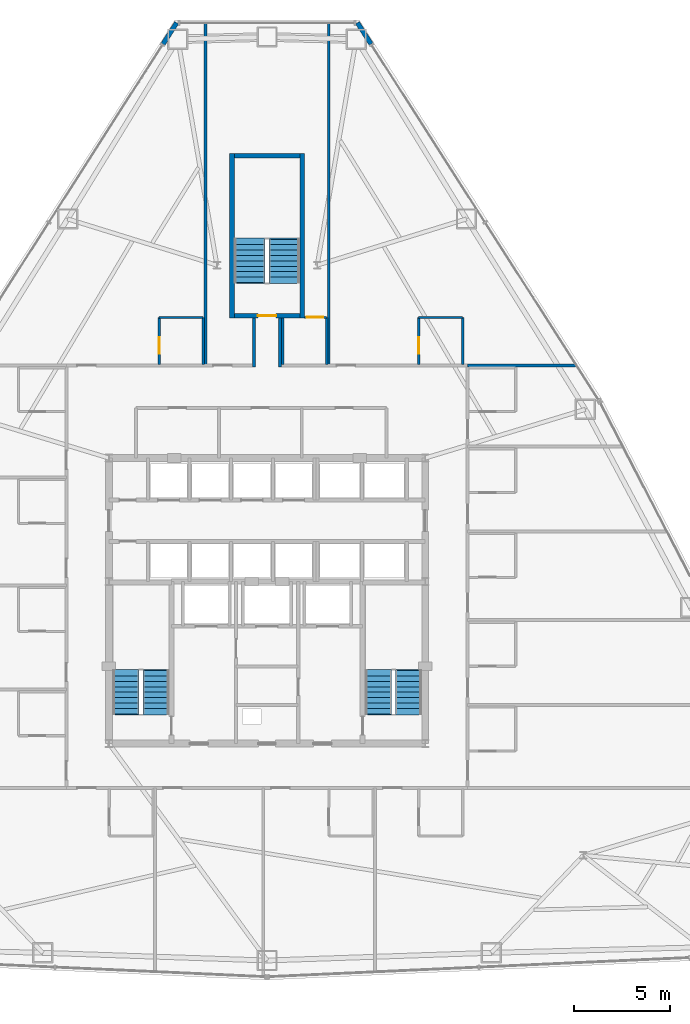
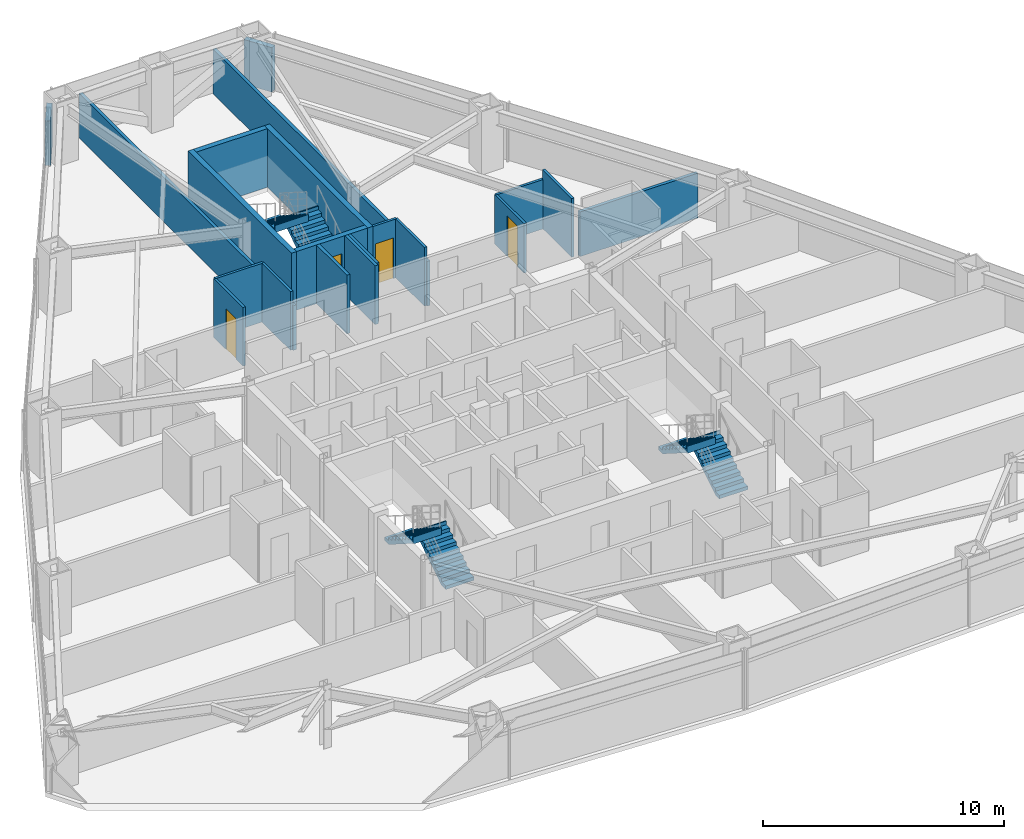
# One storey, part 12 of 13: 20 walls, 6 stair flights, 4 doors, 4 openings, 3 elements without a shape of their own.
"""IFC4 building model written with IfcOpenShell, lengths in metres."""

from ifc_helpers import new_model, si_unit, direction, frame, frame_2d, origin, place, context, subcontext, project, spatial, polyline, rectangle, outline, extrude, material, layer, layer_set, type_object, element, fill, aggregate, save


model = new_model("IFC4")

# Units and contexts
model_context = context("Model", 3, precision=1e-05, world=origin(), true_north=direction((0.0, 1.0)))
body_context = subcontext(model_context, "Body", "Model", "MODEL_VIEW")
ifc_project = project(units=[si_unit("LENGTHUNIT", "METRE"), si_unit("AREAUNIT", "SQUARE_METRE"), si_unit("VOLUMEUNIT", "CUBIC_METRE"), si_unit("PLANEANGLEUNIT", "RADIAN"), si_unit("MASSUNIT", "GRAM", prefix="KILO")], contexts=[model_context])

# Site, building, storey
site_placement = place(None, origin())
site = spatial("IfcSite", under=ifc_project, at=site_placement, CompositionType="ELEMENT")
building_placement = place(site_placement, origin())
building = spatial("IfcBuilding", under=site, at=building_placement, Name="Varakhsha Concourse Tower", CompositionType="ELEMENT")
storey_placement = place(building_placement, frame((0.0, 0.0, 83.0)))
storey = spatial("IfcBuildingStorey", under=building, at=storey_placement, Name="L23", CompositionType="ELEMENT", Elevation=83.0)

# Walls
ifc_material_1 = material(Name="Concrete fc 45 MPa", Category="concrete")
ifc_layer_1 = layer(ifc_material_1, 0.239990234375, Name="WL-EXT-CRN-240")
ifc_layer_set_1 = layer_set([ifc_layer_1], Name="Concrete fc 45 MPa")
wall_type_1 = type_object("IfcWallType", Name="WL-EXT-CRN-240", PredefinedType="SHEAR", material=ifc_layer_set_1)
for number, where, z_axis, x_axis, name in (
    (1, (35.313720703125, 53.76904296875, 0.0), (0.0, 0.0, 1.0), (-0.538937912301, -0.842345491283, 0.0), "L23 Wind-Corner Shoulder Wall F2"),
    (2, (45.395751953125, 52.66015625, 0.0), (0.0, 0.0, 1.0), (-0.538937912301, 0.842345491283, 0.0), "L23 Wind-Corner Shoulder Wall F9"),
):
    element("IfcWall", number, at=place(storey_placement, frame(where, z_axis=z_axis, x_axis=x_axis)), inside=storey, type_object=wall_type_1, Name=name, PredefinedType="SHEAR", context=body_context, shape_type="SweptSolid", body=[
        extrude(rectangle(XDim=1.31640625, YDim=0.239990234375, at=frame_2d((0.658203125, 0.0))), origin(), (0.0, 0.0, 1.0), 2.2529296875),
    ])

# Wall, opening, door
ifc_material_2 = material(Name="Acoustic Gypsum Board Partition Assembly", Category="gypsum")
ifc_layer_2 = layer(ifc_material_2, 0.1201171875, Name="WL-PART-120")
ifc_layer_set_2 = layer_set([ifc_layer_2], Name="Acoustic Gypsum Board Partition Assembly")
wall_type_2 = type_object("IfcWallType", Name="WL-PART-120", PredefinedType="PARTITIONING", material=ifc_layer_set_2)
wall_1_placement = place(storey_placement, frame((34.409912109375, 36.06005859375, 0.0), z_axis=(0.0, 0.0, 1.0), x_axis=(0.0, 1.0, 0.0)))
wall_1 = element("IfcWall", 3, at=wall_1_placement, inside=storey, type_object=wall_type_2, Name="L23 Wall ENSW-W-L23-H14", PredefinedType="PARTITIONING", context=body_context, shape_type="SweptSolid", body=[
    extrude(rectangle(XDim=2.429931640625, YDim=0.1201171875, at=frame_2d((1.21484375, 0.0))), origin(), (0.0, 0.0, 1.0), 2.969970703125),
])
opening_1_placement = place(wall_1_placement, frame((0.550048828125, 0.0, 0.0)))
opening_1 = element("IfcOpeningElement", 4, at=opening_1_placement, cuts=wall_1, Name="Opening DI-01", PredefinedType="OPENING", context=body_context, shape_type="SweptSolid", body=[
    extrude(rectangle(XDim=0.85009765625, YDim=2.050048828125, at=frame_2d((0.425048828125, 1.02490234375))), frame((0.0, 0.070068359375, 0.0), z_axis=(0.0, -1.0, 0.0), x_axis=(1.0, 0.0, 0.0)), (0.0, 0.0, 1.0), 0.14013671875),
])
ifc_material_3 = material(Name="Architectural Walnut Acoustic Timber Door", Category="wood")
door_type_1 = type_object("IfcDoorType", Name="DR-INT-850", OperationType="NOTDEFINED", PredefinedType="DOOR", material=ifc_material_3)
door_1_placement = place(opening_1_placement, origin())
door_1 = element("IfcDoor", 5, at=door_1_placement, inside=storey, type_object=door_type_1, Name="L23 En-suite Bathroom Door L23-H14", OperationType="SINGLE_SWING_RIGHT", OverallHeight=2.050048828125, OverallWidth=0.85009765625, PredefinedType="DOOR", context=body_context, shape_type="SweptSolid", body=[
    extrude(rectangle(XDim=0.85009765625, YDim=2.050048828125, at=frame_2d((0.425048828125, 1.02490234375))), frame((0.0, 0.02490234375, 0.0), z_axis=(0.0, -1.0, 0.0), x_axis=(1.0, 0.0, 0.0)), (0.0, 0.0, 1.0), 0.050048828125),
])
fill(opening_1, door_1)

# Walls
wall_2_placement = place(storey_placement, frame((36.68994140625, 36.06005859375, 0.0), z_axis=(0.0, 0.0, 1.0), x_axis=(0.0, 1.0, 0.0)))
element("IfcWall", 6, at=wall_2_placement, inside=storey, type_object=wall_type_2, Name="L23 Wall ENSW-E-L23-H14", PredefinedType="PARTITIONING", context=body_context, shape_type="SweptSolid", body=[
    extrude(rectangle(XDim=2.429931640625, YDim=0.1201171875, at=frame_2d((1.21484375, 0.0))), origin(), (0.0, 0.0, 1.0), 2.969970703125),
])
wall_3_placement = place(storey_placement, frame((34.409912109375, 38.489990234375, 0.0), z_axis=(0.0, 0.0, 1.0), x_axis=(1.0, 0.0, 0.0)))
element("IfcWall", 7, at=wall_3_placement, inside=storey, type_object=wall_type_2, Name="L23 Wall ENSW-N-L23-H14", PredefinedType="PARTITIONING", context=body_context, shape_type="SweptSolid", body=[
    extrude(rectangle(XDim=2.280029296875, YDim=0.1201171875, at=frame_2d((1.14013671875, 0.0))), origin(), (0.0, 0.0, 1.0), 2.969970703125),
])
wall_4_placement = place(storey_placement, frame((40.81005859375, 36.06005859375, 0.0), z_axis=(0.0, 0.0, 1.0), x_axis=(0.0, 1.0, 0.0)))
element("IfcWall", 8, at=wall_4_placement, inside=storey, type_object=wall_type_2, Name="L23 Wall ENSW-W-L23-H15", PredefinedType="PARTITIONING", context=body_context, shape_type="SweptSolid", body=[
    extrude(rectangle(XDim=2.389892578125, YDim=0.1201171875, at=frame_2d((1.19482421875, 0.0))), origin(), (0.0, 0.0, 1.0), 2.969970703125),
])
wall_5_placement = place(storey_placement, frame((43.090087890625, 36.06005859375, 0.0), z_axis=(0.0, 0.0, 1.0), x_axis=(0.0, 1.0, 0.0)))
element("IfcWall", 9, at=wall_5_placement, inside=storey, type_object=wall_type_2, Name="L23 Wall ENSW-E-L23-H15", PredefinedType="PARTITIONING", context=body_context, shape_type="SweptSolid", body=[
    extrude(rectangle(XDim=2.429931640625, YDim=0.1201171875, at=frame_2d((1.21484375, 0.0))), origin(), (0.0, 0.0, 1.0), 2.969970703125),
])

# Wall, opening, door
wall_6_placement = place(storey_placement, frame((41.949951171875, 38.489990234375, 0.0), z_axis=(0.0, 0.0, 1.0), x_axis=(1.0, 0.0, 0.0)))
wall_6 = element("IfcWall", 10, at=wall_6_placement, inside=storey, type_object=wall_type_2, Name="L23 Wall ENSW-N-L23-H15", PredefinedType="PARTITIONING", context=body_context, shape_type="SweptSolid", body=[
    extrude(rectangle(XDim=1.14013671875, YDim=0.1201171875, at=frame_2d((0.570068359375, 0.0))), origin(), (0.0, 0.0, 1.0), 2.969970703125),
])
opening_2_placement = place(wall_6_placement, frame((0.1201171875, 0.0, 0.0)))
opening_2 = element("IfcOpeningElement", 11, at=opening_2_placement, cuts=wall_6, Name="Opening DI-01", PredefinedType="OPENING", context=body_context, shape_type="SweptSolid", body=[
    extrude(rectangle(XDim=0.85009765625, YDim=2.050048828125, at=frame_2d((0.425048828125, 1.02490234375))), frame((0.0, 0.070068359375, 0.0), z_axis=(0.0, -1.0, 0.0), x_axis=(1.0, 0.0, 0.0)), (0.0, 0.0, 1.0), 0.14013671875),
])
door_2_placement = place(opening_2_placement, origin())
door_2 = element("IfcDoor", 12, at=door_2_placement, inside=storey, type_object=door_type_1, Name="L23 En-suite Bathroom Door L23-H15", OperationType="SINGLE_SWING_RIGHT", OverallHeight=2.050048828125, OverallWidth=0.85009765625, PredefinedType="DOOR", context=body_context, shape_type="SweptSolid", body=[
    extrude(rectangle(XDim=0.85009765625, YDim=2.050048828125, at=frame_2d((0.425048828125, 1.02490234375))), frame((0.0, 0.02490234375, 0.0), z_axis=(0.0, -1.0, 0.0), x_axis=(1.0, 0.0, 0.0)), (0.0, 0.0, 1.0), 0.050048828125),
])
fill(opening_2, door_2)

wall_7_placement = place(storey_placement, frame((47.860107421875, 36.06005859375, 0.0), z_axis=(0.0, 0.0, 1.0), x_axis=(0.0, 1.0, 0.0)))
wall_7 = element("IfcWall", 13, at=wall_7_placement, inside=storey, type_object=wall_type_2, Name="L23 Wall ENSW-W-L23-H16", PredefinedType="PARTITIONING", context=body_context, shape_type="SweptSolid", body=[
    extrude(rectangle(XDim=2.429931640625, YDim=0.1201171875, at=frame_2d((1.21484375, 0.0))), origin(), (0.0, 0.0, 1.0), 2.5029296875),
])
opening_3_placement = place(wall_7_placement, frame((0.550048828125, 0.0, 0.0)))
opening_3 = element("IfcOpeningElement", 14, at=opening_3_placement, cuts=wall_7, Name="Opening DI-01", PredefinedType="OPENING", context=body_context, shape_type="SweptSolid", body=[
    extrude(rectangle(XDim=0.85009765625, YDim=2.050048828125, at=frame_2d((0.425048828125, 1.02490234375))), frame((0.0, 0.070068359375, 0.0), z_axis=(0.0, -1.0, 0.0), x_axis=(1.0, 0.0, 0.0)), (0.0, 0.0, 1.0), 0.14013671875),
])
door_3_placement = place(opening_3_placement, origin())
door_3 = element("IfcDoor", 15, at=door_3_placement, inside=storey, type_object=door_type_1, Name="L23 En-suite Bathroom Door L23-H16", OperationType="SINGLE_SWING_RIGHT", OverallHeight=2.050048828125, OverallWidth=0.85009765625, PredefinedType="DOOR", context=body_context, shape_type="SweptSolid", body=[
    extrude(rectangle(XDim=0.85009765625, YDim=2.050048828125, at=frame_2d((0.425048828125, 1.02490234375))), frame((0.0, 0.02490234375, 0.0), z_axis=(0.0, -1.0, 0.0), x_axis=(1.0, 0.0, 0.0)), (0.0, 0.0, 1.0), 0.050048828125),
])
fill(opening_3, door_3)

# Walls
wall_8_placement = place(storey_placement, frame((50.139892578125, 36.06005859375, 0.0), z_axis=(0.0, 0.0, 1.0), x_axis=(0.0, 1.0, 0.0)))
element("IfcWall", 16, at=wall_8_placement, inside=storey, type_object=wall_type_2, Name="L23 Wall ENSW-E-L23-H16", PredefinedType="PARTITIONING", context=body_context, shape_type="SweptSolid", body=[
    extrude(rectangle(XDim=2.429931640625, YDim=0.1201171875, at=frame_2d((1.21484375, 0.0))), origin(), (0.0, 0.0, 1.0), 2.969970703125),
])
wall_9_placement = place(storey_placement, frame((47.860107421875, 38.489990234375, 0.0), z_axis=(0.0, 0.0, 1.0), x_axis=(1.0, 0.0, 0.0)))
element("IfcWall", 17, at=wall_9_placement, inside=storey, type_object=wall_type_2, Name="L23 Wall ENSW-N-L23-H16", PredefinedType="PARTITIONING", context=body_context, shape_type="SweptSolid", body=[
    extrude(rectangle(XDim=2.27978515625, YDim=0.1201171875, at=frame_2d((1.139892578125, 0.0))), origin(), (0.0, 0.0, 1.0), 2.5029296875),
])
ifc_material_4 = material(Name="Fire-Rated Type X Gypsum Partition Assembly", Category="gypsum")
ifc_layer_3 = layer(ifc_material_4, 0.14990234375, Name="WL-PART-150")
ifc_layer_set_3 = layer_set([ifc_layer_3], Name="Fire-Rated Type X Gypsum Partition Assembly")
wall_type_3 = type_object("IfcWallType", Name="WL-PART-150", PredefinedType="PARTITIONING", material=ifc_layer_set_3)
wall_10_placement = place(storey_placement, frame((50.39990234375, 36.0, 0.0), z_axis=(0.0, 0.0, 1.0), x_axis=(1.0, 0.0, 0.0)))
element("IfcWall", 18, at=wall_10_placement, inside=storey, type_object=wall_type_3, Name="L23 Wall HDIV-EBN-L23", PredefinedType="PARTITIONING", context=body_context, shape_type="SweptSolid", body=[
    extrude(rectangle(XDim=5.64501953125, YDim=0.14990234375, at=frame_2d((2.822509765625, 0.0))), origin(), (0.0, 0.0, 1.0), 2.258056640625),
])
for number, where, z_axis, x_axis, name in (
    (19, (36.800048828125, 36.0, 0.0), (0.0, 0.0, 1.0), (0.0, 1.0, 0.0), "L23 Wall HDIV-N1-L23"),
    (20, (43.199951171875, 36.0, 0.0), (0.0, 0.0, 1.0), (0.0, 1.0, 0.0), "L23 Wall HDIV-N2-L23"),
):
    element("IfcWall", number, at=place(storey_placement, frame(where, z_axis=z_axis, x_axis=x_axis)), inside=storey, type_object=wall_type_3, Name=name, PredefinedType="PARTITIONING", context=body_context, shape_type="SweptSolid", body=[
        extrude(rectangle(XDim=17.745849609375, YDim=0.14990234375, at=frame_2d((8.873046875, 0.0))), origin(), (0.0, 0.0, 1.0), 2.258056640625),
    ])
for number, where, z_axis, x_axis, name in (
    (21, (39.324951171875, 35.925048828125, 0.0), (0.0, 0.0, 1.0), (0.0, 1.0, 0.0), "L23 Wall STUB-W-L23"),
    (22, (40.675048828125, 35.925048828125, 0.0), (0.0, 0.0, 1.0), (0.0, 1.0, 0.0), "L23 Wall STUB-E-L23"),
):
    element("IfcWall", number, at=place(storey_placement, frame(where, z_axis=z_axis, x_axis=x_axis)), inside=storey, type_object=wall_type_3, Name=name, PredefinedType="PARTITIONING", context=body_context, shape_type="SweptSolid", body=[
        extrude(rectangle(XDim=2.52490234375, YDim=0.14990234375, at=frame_2d((1.262451171875, 0.0))), origin(), (0.0, 0.0, 1.0), 2.969970703125),
    ])
ifc_layer_4 = layer(ifc_material_1, 0.25, Name="WL-STAIR-250")
ifc_layer_set_4 = layer_set([ifc_layer_4], Name="Concrete fc 45 MPa")
wall_type_4 = type_object("IfcWallType", Name="WL-STAIR-250", PredefinedType="SHEAR", material=ifc_layer_set_4)
for number, where, z_axis, x_axis, name in (
    (23, (38.175048828125, 38.449951171875, 0.0), (0.0, 0.0, 1.0), (0.0, 1.0, 0.0), "L23 Wall SWALL-ST5-W-L23"),
    (24, (41.824951171875, 38.449951171875, 0.0), (0.0, 0.0, 1.0), (0.0, 1.0, 0.0), "L23 Wall SWALL-ST5-E-L23"),
):
    element("IfcWall", number, at=place(storey_placement, frame(where, z_axis=z_axis, x_axis=x_axis)), inside=storey, type_object=wall_type_4, Name=name, PredefinedType="SHEAR", context=body_context, shape_type="SweptSolid", body=[
        extrude(rectangle(XDim=8.550048828125, YDim=0.25, at=frame_2d((4.27490234375, 0.0))), origin(), (0.0, 0.0, 1.0), 2.969970703125),
    ])

# Wall, opening, door
wall_11_placement = place(storey_placement, frame((38.300048828125, 38.574951171875, 0.0), z_axis=(0.0, 0.0, 1.0), x_axis=(1.0, 0.0, 0.0)))
wall_11 = element("IfcWall", 25, at=wall_11_placement, inside=storey, type_object=wall_type_4, Name="L23 Wall SWALL-ST5-S-L23", PredefinedType="SHEAR", context=body_context, shape_type="SweptSolid", body=[
    extrude(rectangle(XDim=3.39990234375, YDim=0.25, at=frame_2d((1.699951171875, 0.0))), origin(), (0.0, 0.0, 1.0), 2.969970703125),
])
opening_4_placement = place(wall_11_placement, frame((1.22509765625, 0.0, 0.0)))
opening_4 = element("IfcOpeningElement", 26, at=opening_4_placement, cuts=wall_11, Name="Opening DF-03", PredefinedType="OPENING", context=body_context, shape_type="SweptSolid", body=[
    extrude(rectangle(XDim=0.949951171875, YDim=2.10009765625, at=frame_2d((0.47509765625, 1.050048828125))), frame((0.0, 0.135009765625, 0.0), z_axis=(0.0, -1.0, 0.0), x_axis=(1.0, 0.0, 0.0)), (0.0, 0.0, 1.0), 0.27001953125),
])
ifc_material_5 = material(Name="Hollow Galvanised Steel Fire Door Assembly", Category="steel")
door_type_2 = type_object("IfcDoorType", Name="DR-FD90-950", OperationType="NOTDEFINED", PredefinedType="DOOR", material=ifc_material_5)
door_4_placement = place(opening_4_placement, origin())
door_4 = element("IfcDoor", 27, at=door_4_placement, inside=storey, type_object=door_type_2, Name="L23 Stair ST5 Fire Door", OperationType="SINGLE_SWING_RIGHT", OverallHeight=2.10009765625, OverallWidth=0.949951171875, PredefinedType="DOOR", context=body_context, shape_type="SweptSolid", body=[
    extrude(rectangle(XDim=0.949951171875, YDim=2.10009765625, at=frame_2d((0.47509765625, 1.050048828125))), frame((0.0, 0.02490234375, 0.0), z_axis=(0.0, -1.0, 0.0), x_axis=(1.0, 0.0, 0.0)), (0.0, 0.0, 1.0), 0.050048828125),
])
fill(opening_4, door_4)

# Wall
wall_12_placement = place(storey_placement, frame((38.300048828125, 46.875, 0.0), z_axis=(0.0, 0.0, 1.0), x_axis=(1.0, 0.0, 0.0)))
element("IfcWall", 28, at=wall_12_placement, inside=storey, type_object=wall_type_4, Name="L23 Wall SWALL-ST5-N-L23", PredefinedType="SHEAR", context=body_context, shape_type="SweptSolid", body=[
    extrude(rectangle(XDim=3.39990234375, YDim=0.25, at=frame_2d((1.699951171875, 0.0))), origin(), (0.0, 0.0, 1.0), 2.969970703125),
])

# Stair, stair flights
stair_type_1 = type_object("IfcStairType", Name="ST-DOGLEG-1360", PredefinedType="HALF_TURN_STAIR", material=ifc_material_1)
stair_1_placement = place(storey_placement, origin())
stair_1 = element("IfcStair", 29, at=stair_1_placement, inside=storey, type_object=stair_type_1, Name="L23 Protected Exit Stair ST1", PredefinedType="HALF_TURN_STAIR")
stair_flight_type_1 = type_object("IfcStairFlightType", Name="STF-1360-R1778", PredefinedType="STRAIGHT", material=ifc_material_1)
stair_flight_1_placement = place(storey_placement, frame((34.239990234375, 17.93994140625, 0.0), z_axis=(0.0, 0.0, 1.0), x_axis=(0.0, 1.0, 0.0)))
stair_flight_1 = element("IfcStairFlight", 30, at=stair_flight_1_placement, type_object=stair_flight_type_1, Name="ST1 flight 1", NumberOfRisers=9, NumberOfTreads=8, PredefinedType="STRAIGHT", RiserHeight=0.177777778, TreadLength=0.28, context=body_context, shape_type="SweptSolid", body=[
    extrude(outline(polyline([(-0.06005859375, 0.0), (-0.06005859375, 0.177734375), (0.0, 0.177734375), (0.280029296875, 0.177734375), (0.280029296875, 0.35546875), (0.56005859375, 0.35546875), (0.56005859375, 0.533447265625), (0.840087890625, 0.533447265625), (0.840087890625, 0.711181640625), (1.1201171875, 0.711181640625), (1.1201171875, 0.888916015625), (1.39990234375, 0.888916015625), (1.39990234375, 1.066650390625), (1.679931640625, 1.066650390625), (1.679931640625, 1.244384765625), (1.9599609375, 1.244384765625), (1.9599609375, 1.422119140625), (2.239990234375, 1.422119140625), (2.239990234375, 1.60009765625), (2.300048828125, 1.60009765625), (2.300048828125, 1.24462890625), (2.239990234375, 1.24462890625), (0.27978515625, 0.0), (-0.06005859375, 0.0)])), frame((0.0, 0.68017578125, 0.0), z_axis=(0.0, -1.0, 0.0), x_axis=(1.0, 0.0, 0.0)), (0.0, 0.0, 1.0), 1.360107421875),
])
stair_flight_2_placement = place(storey_placement, frame((32.679931640625, 20.179931640625, 1.60009765625), z_axis=(0.0, 0.0, 1.0), x_axis=(0.0, -1.0, 0.0)))
stair_flight_2 = element("IfcStairFlight", 31, at=stair_flight_2_placement, type_object=stair_flight_type_1, Name="ST1 flight 2", NumberOfRisers=9, NumberOfTreads=8, PredefinedType="STRAIGHT", RiserHeight=0.177777778, TreadLength=0.28, context=body_context, shape_type="SweptSolid", body=[
    extrude(outline(polyline([(-0.06005859375, 0.0), (-0.06005859375, 0.177734375), (0.0, 0.177734375), (0.280029296875, 0.177734375), (0.280029296875, 0.35546875), (0.56005859375, 0.35546875), (0.56005859375, 0.533447265625), (0.840087890625, 0.533447265625), (0.840087890625, 0.711181640625), (1.1201171875, 0.711181640625), (1.1201171875, 0.888916015625), (1.39990234375, 0.888916015625), (1.39990234375, 1.066650390625), (1.679931640625, 1.066650390625), (1.679931640625, 1.244384765625), (1.9599609375, 1.244384765625), (1.9599609375, 1.422119140625), (2.239990234375, 1.422119140625), (2.239990234375, 1.60009765625), (2.300048828125, 1.60009765625), (2.300048828125, 1.24462890625), (2.239990234375, 1.24462890625), (0.27978515625, 0.0), (-0.06005859375, 0.0)])), frame((0.0, 0.68017578125, 0.0), z_axis=(0.0, -1.0, 0.0), x_axis=(1.0, 0.0, 0.0)), (0.0, 0.0, 1.0), 1.360107421875),
])
aggregate(stair_1, [stair_flight_1, stair_flight_2])

stair_2_placement = place(storey_placement, origin())
stair_2 = element("IfcStair", 32, at=stair_2_placement, inside=storey, type_object=stair_type_1, Name="L23 Protected Exit Stair ST2", PredefinedType="HALF_TURN_STAIR")
stair_flight_3_placement = place(storey_placement, frame((47.340087890625, 17.93994140625, 0.0), z_axis=(0.0, 0.0, 1.0), x_axis=(0.0, 1.0, 0.0)))
stair_flight_3 = element("IfcStairFlight", 33, at=stair_flight_3_placement, type_object=stair_flight_type_1, Name="ST2 flight 1", NumberOfRisers=9, NumberOfTreads=8, PredefinedType="STRAIGHT", RiserHeight=0.177777778, TreadLength=0.28, context=body_context, shape_type="SweptSolid", body=[
    extrude(outline(polyline([(-0.06005859375, 0.0), (-0.06005859375, 0.177734375), (0.0, 0.177734375), (0.280029296875, 0.177734375), (0.280029296875, 0.35546875), (0.56005859375, 0.35546875), (0.56005859375, 0.533447265625), (0.840087890625, 0.533447265625), (0.840087890625, 0.711181640625), (1.1201171875, 0.711181640625), (1.1201171875, 0.888916015625), (1.39990234375, 0.888916015625), (1.39990234375, 1.066650390625), (1.679931640625, 1.066650390625), (1.679931640625, 1.244384765625), (1.9599609375, 1.244384765625), (1.9599609375, 1.422119140625), (2.239990234375, 1.422119140625), (2.239990234375, 1.60009765625), (2.300048828125, 1.60009765625), (2.300048828125, 1.24462890625), (2.239990234375, 1.24462890625), (0.27978515625, 0.0), (-0.06005859375, 0.0)])), frame((0.0, 0.68017578125, 0.0), z_axis=(0.0, -1.0, 0.0), x_axis=(1.0, 0.0, 0.0)), (0.0, 0.0, 1.0), 1.360107421875),
])
stair_flight_4_placement = place(storey_placement, frame((45.780029296875, 20.179931640625, 1.60009765625), z_axis=(0.0, 0.0, 1.0), x_axis=(0.0, -1.0, 0.0)))
stair_flight_4 = element("IfcStairFlight", 34, at=stair_flight_4_placement, type_object=stair_flight_type_1, Name="ST2 flight 2", NumberOfRisers=9, NumberOfTreads=8, PredefinedType="STRAIGHT", RiserHeight=0.177777778, TreadLength=0.28, context=body_context, shape_type="SweptSolid", body=[
    extrude(outline(polyline([(-0.06005859375, 0.0), (-0.06005859375, 0.177734375), (0.0, 0.177734375), (0.280029296875, 0.177734375), (0.280029296875, 0.35546875), (0.56005859375, 0.35546875), (0.56005859375, 0.533447265625), (0.840087890625, 0.533447265625), (0.840087890625, 0.711181640625), (1.1201171875, 0.711181640625), (1.1201171875, 0.888916015625), (1.39990234375, 0.888916015625), (1.39990234375, 1.066650390625), (1.679931640625, 1.066650390625), (1.679931640625, 1.244384765625), (1.9599609375, 1.244384765625), (1.9599609375, 1.422119140625), (2.239990234375, 1.422119140625), (2.239990234375, 1.60009765625), (2.300048828125, 1.60009765625), (2.300048828125, 1.24462890625), (2.239990234375, 1.24462890625), (0.27978515625, 0.0), (-0.06005859375, 0.0)])), frame((0.0, 0.68017578125, 0.0), z_axis=(0.0, -1.0, 0.0), x_axis=(1.0, 0.0, 0.0)), (0.0, 0.0, 1.0), 1.360107421875),
])
aggregate(stair_2, [stair_flight_3, stair_flight_4])

stair_type_2 = type_object("IfcStairType", Name="ST-DOGLEG-1600", PredefinedType="HALF_TURN_STAIR", material=ifc_material_1)
stair_3_placement = place(storey_placement, origin())
stair_3 = element("IfcStair", 35, at=stair_3_placement, inside=storey, type_object=stair_type_2, Name="L23 Protected Exit Stair ST5", PredefinedType="HALF_TURN_STAIR")
stair_flight_type_2 = type_object("IfcStairFlightType", Name="STF-1600-R1778", PredefinedType="STRAIGHT", material=ifc_material_1)
stair_flight_5_placement = place(storey_placement, frame((40.89990234375, 40.300048828125, 0.0), z_axis=(0.0, 0.0, 1.0), x_axis=(0.0, 1.0, 0.0)))
stair_flight_5 = element("IfcStairFlight", 36, at=stair_flight_5_placement, type_object=stair_flight_type_2, Name="ST5 flight 1", NumberOfRisers=9, NumberOfTreads=8, PredefinedType="STRAIGHT", RiserHeight=0.177777778, TreadLength=0.28, context=body_context, shape_type="SweptSolid", body=[
    extrude(outline(polyline([(-0.06005859375, 0.0), (-0.06005859375, 0.177734375), (0.0, 0.177734375), (0.280029296875, 0.177734375), (0.280029296875, 0.35546875), (0.56005859375, 0.35546875), (0.56005859375, 0.533447265625), (0.840087890625, 0.533447265625), (0.840087890625, 0.711181640625), (1.1201171875, 0.711181640625), (1.1201171875, 0.888916015625), (1.39990234375, 0.888916015625), (1.39990234375, 1.066650390625), (1.679931640625, 1.066650390625), (1.679931640625, 1.244384765625), (1.9599609375, 1.244384765625), (1.9599609375, 1.422119140625), (2.239990234375, 1.422119140625), (2.239990234375, 1.60009765625), (2.300048828125, 1.60009765625), (2.300048828125, 1.24462890625), (2.239990234375, 1.24462890625), (0.27978515625, 0.0), (-0.06005859375, 0.0)])), frame((0.0, 0.800048828125, 0.0), z_axis=(0.0, -1.0, 0.0), x_axis=(1.0, 0.0, 0.0)), (0.0, 0.0, 1.0), 1.60009765625),
])
stair_flight_6_placement = place(storey_placement, frame((39.10009765625, 42.5400390625, 1.60009765625), z_axis=(0.0, 0.0, 1.0), x_axis=(0.0, -1.0, 0.0)))
stair_flight_6 = element("IfcStairFlight", 37, at=stair_flight_6_placement, type_object=stair_flight_type_2, Name="ST5 flight 2", NumberOfRisers=9, NumberOfTreads=8, PredefinedType="STRAIGHT", RiserHeight=0.177777778, TreadLength=0.28, context=body_context, shape_type="SweptSolid", body=[
    extrude(outline(polyline([(-0.06005859375, 0.0), (-0.06005859375, 0.177734375), (0.0, 0.177734375), (0.280029296875, 0.177734375), (0.280029296875, 0.35546875), (0.56005859375, 0.35546875), (0.56005859375, 0.533447265625), (0.840087890625, 0.533447265625), (0.840087890625, 0.711181640625), (1.1201171875, 0.711181640625), (1.1201171875, 0.888916015625), (1.39990234375, 0.888916015625), (1.39990234375, 1.066650390625), (1.679931640625, 1.066650390625), (1.679931640625, 1.244384765625), (1.9599609375, 1.244384765625), (1.9599609375, 1.422119140625), (2.239990234375, 1.422119140625), (2.239990234375, 1.60009765625), (2.300048828125, 1.60009765625), (2.300048828125, 1.24462890625), (2.239990234375, 1.24462890625), (0.27978515625, 0.0), (-0.06005859375, 0.0)])), frame((0.0, 0.800048828125, 0.0), z_axis=(0.0, -1.0, 0.0), x_axis=(1.0, 0.0, 0.0)), (0.0, 0.0, 1.0), 1.60009765625),
])
aggregate(stair_3, [stair_flight_5, stair_flight_6])

save(model, "model.ifc")
